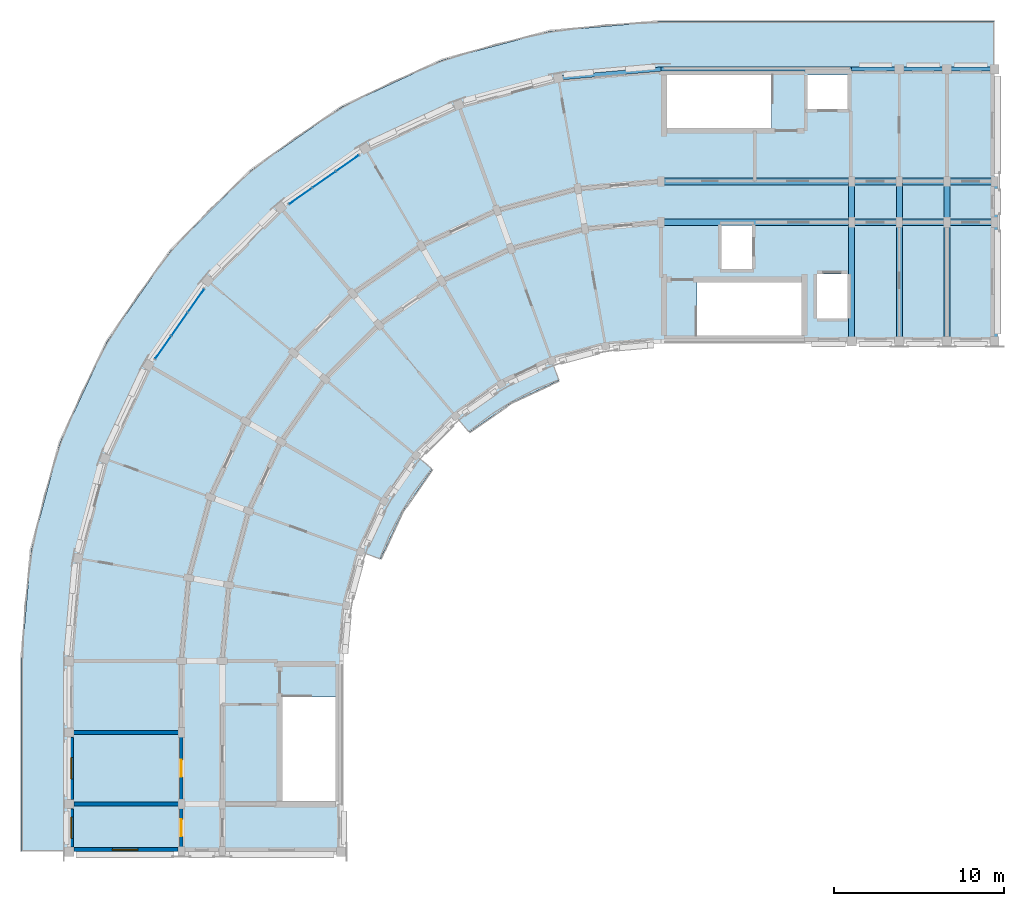
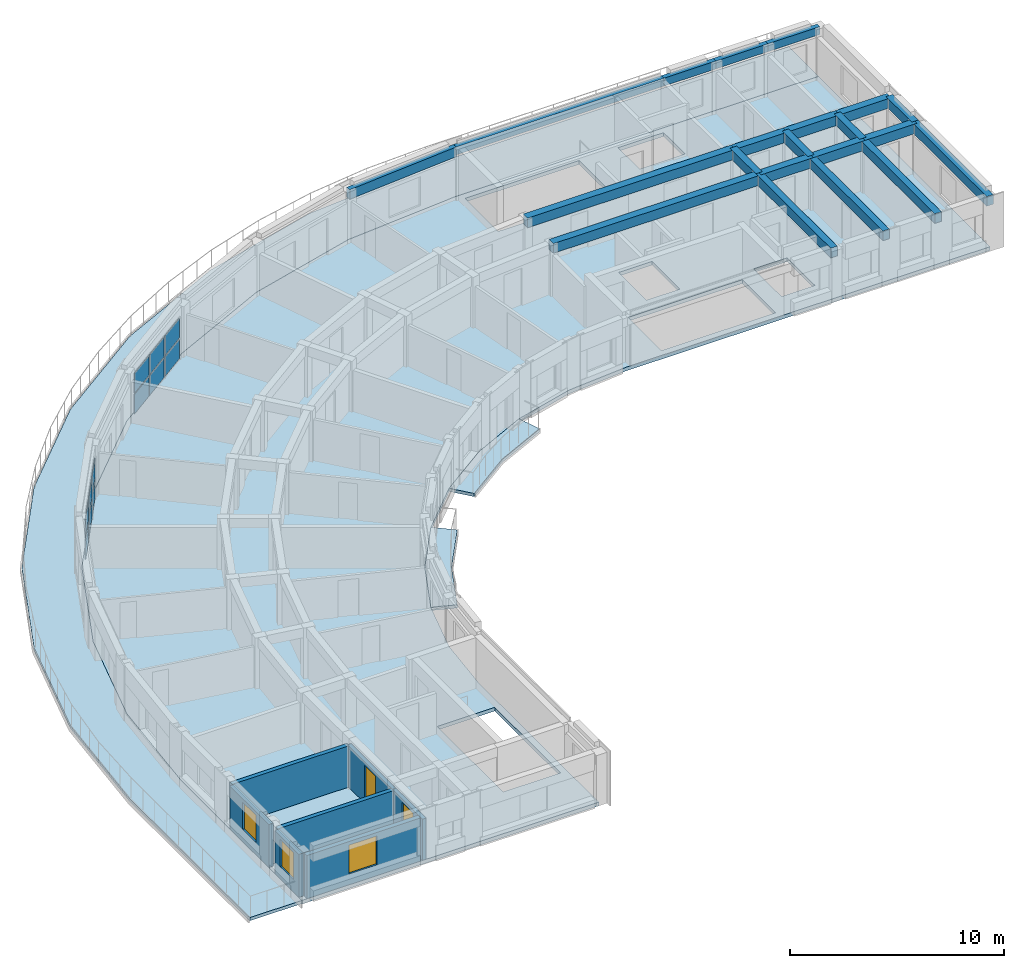
# One storey, part 5 of 14: 21 beams, 12 plates, 7 walls, 4 slabs, 3 windows, 2 doors, 5 openings, 2 elements without a shape of their own.
"""IFC4 building model written with IfcOpenShell, lengths in metres."""

from ifc_helpers import new_model, si_unit, direction, frame, frame_2d, origin, origin_2d, place, context, subcontext, project, spatial, polyline, rectangle, outline, extrude, material, layer, layer_set, material_profile, profile_set, type_object, element, fill, aggregate, save


model = new_model("IFC4")

# Units and contexts
model_context = context("Model", 3, precision=1e-05, world=origin(), true_north=direction((0.0, 1.0)))
body_context = subcontext(model_context, "Body", "Model", "MODEL_VIEW")
ifc_project = project(units=[si_unit("LENGTHUNIT", "METRE"), si_unit("AREAUNIT", "SQUARE_METRE"), si_unit("VOLUMEUNIT", "CUBIC_METRE"), si_unit("PLANEANGLEUNIT", "RADIAN"), si_unit("MASSUNIT", "GRAM", prefix="KILO")], contexts=[model_context])

# Site, building, storey
site_placement = place(None, origin())
site = spatial("IfcSite", under=ifc_project, at=site_placement, CompositionType="ELEMENT")
building_placement = place(site_placement, origin())
building = spatial("IfcBuilding", under=site, at=building_placement, Name="Kiranvali Square Residences", CompositionType="ELEMENT")
storey_placement = place(building_placement, frame((0.0, 0.0, 49.64990234375)))
storey = spatial("IfcBuildingStorey", under=building, at=storey_placement, Name="L15", CompositionType="ELEMENT", Elevation=49.64990234375)

# Beams
ifc_material_1 = material(Name="Concrete M40 (40 MPa)", Category="concrete")
ifc_material_profile_1 = material_profile(ifc_material_1, rectangle(XDim=0.35009765625, YDim=0.550048828125, at=origin_2d()), Name="RC 350x550")
ifc_profile_set_1 = profile_set([ifc_material_profile_1], Name="Concrete M40 (40 MPa)")
beam_type_1 = type_object("IfcBeamType", Name="BM-M40-350x550", PredefinedType="BEAM", material=ifc_profile_set_1)
beam_1_placement = place(storey_placement, frame((59.39990234375, 106.60009765625, 2.635009765625), z_axis=(0.0, 1.0, 0.0), x_axis=(-1.0, 0.0, 0.0)))
element("IfcBeam", 1, at=beam_1_placement, inside=storey, type_object=beam_type_1, Name="L15 beam BM-A-L15-A1T1-01", PredefinedType="BEAM", context=body_context, shape_type="SweptSolid", body=[
    extrude(rectangle(XDim=0.35009765625, YDim=0.550048828125, at=origin_2d()), origin(), (0.0, 0.0, 1.0), 7.0),
])
beam_2_placement = place(storey_placement, frame((59.39990234375, 113.60009765625, 2.635009765625), z_axis=(0.0, 1.0, 0.0), x_axis=(-1.0, 0.0, 0.0)))
element("IfcBeam", 2, at=beam_2_placement, inside=storey, type_object=beam_type_1, Name="L15 beam BM-A-L15-A1T1-12", PredefinedType="BEAM", context=body_context, shape_type="SweptSolid", body=[
    extrude(rectangle(XDim=0.35009765625, YDim=0.550048828125, at=origin_2d()), origin(), (0.0, 0.0, 1.0), 2.39990234375),
])
beam_3_placement = place(storey_placement, frame((62.199951171875, 106.60009765625, 2.635009765625), z_axis=(0.0, 1.0, 0.0), x_axis=(-1.0, 0.0, 0.0)))
element("IfcBeam", 3, at=beam_3_placement, inside=storey, type_object=beam_type_1, Name="L15 beam BM-A-L15-A1T2-01", PredefinedType="BEAM", context=body_context, shape_type="SweptSolid", body=[
    extrude(rectangle(XDim=0.35009765625, YDim=0.550048828125, at=origin_2d()), origin(), (0.0, 0.0, 1.0), 7.0),
])
beam_4_placement = place(storey_placement, frame((62.199951171875, 113.60009765625, 2.635009765625), z_axis=(0.0, 1.0, 0.0), x_axis=(-1.0, 0.0, 0.0)))
element("IfcBeam", 4, at=beam_4_placement, inside=storey, type_object=beam_type_1, Name="L15 beam BM-A-L15-A1T2-12", PredefinedType="BEAM", context=body_context, shape_type="SweptSolid", body=[
    extrude(rectangle(XDim=0.35009765625, YDim=0.550048828125, at=origin_2d()), origin(), (0.0, 0.0, 1.0), 2.39990234375),
])
beam_5_placement = place(storey_placement, frame((65.0, 106.60009765625, 2.635009765625), z_axis=(0.0, 1.0, 0.0), x_axis=(-1.0, 0.0, 0.0)))
element("IfcBeam", 5, at=beam_5_placement, inside=storey, type_object=beam_type_1, Name="L15 beam BM-A-L15-A1T3-01", PredefinedType="BEAM", context=body_context, shape_type="SweptSolid", body=[
    extrude(rectangle(XDim=0.35009765625, YDim=0.550048828125, at=origin_2d()), origin(), (0.0, 0.0, 1.0), 7.0),
])
beam_6_placement = place(storey_placement, frame((65.0, 113.60009765625, 2.635009765625), z_axis=(0.0, 1.0, 0.0), x_axis=(-1.0, 0.0, 0.0)))
element("IfcBeam", 6, at=beam_6_placement, inside=storey, type_object=beam_type_1, Name="L15 beam BM-A-L15-A1T3-12", PredefinedType="BEAM", context=body_context, shape_type="SweptSolid", body=[
    extrude(rectangle(XDim=0.35009765625, YDim=0.550048828125, at=origin_2d()), origin(), (0.0, 0.0, 1.0), 2.39990234375),
])
beam_7_placement = place(storey_placement, frame((67.800048828125, 106.60009765625, 2.635009765625), z_axis=(0.0, 1.0, 0.0), x_axis=(-1.0, 0.0, 0.0)))
element("IfcBeam", 7, at=beam_7_placement, inside=storey, type_object=beam_type_1, Name="L15 beam BM-A-L15-A1T4-01", PredefinedType="BEAM", context=body_context, shape_type="SweptSolid", body=[
    extrude(rectangle(XDim=0.35009765625, YDim=0.550048828125, at=origin_2d()), origin(), (0.0, 0.0, 1.0), 7.0),
])
beam_8_placement = place(storey_placement, frame((67.800048828125, 113.60009765625, 2.635009765625), z_axis=(0.0, 1.0, 0.0), x_axis=(-1.0, 0.0, 0.0)))
element("IfcBeam", 8, at=beam_8_placement, inside=storey, type_object=beam_type_1, Name="L15 beam BM-A-L15-A1T4-12", PredefinedType="BEAM", context=body_context, shape_type="SweptSolid", body=[
    extrude(rectangle(XDim=0.35009765625, YDim=0.550048828125, at=origin_2d()), origin(), (0.0, 0.0, 1.0), 2.39990234375),
])
ifc_material_2 = material(Name="Concrete M45 (45 MPa)", Category="concrete")
ifc_material_profile_2 = material_profile(ifc_material_2, rectangle(XDim=0.39990234375, YDim=0.550048828125, at=origin_2d()), Name="RC 400x550")
ifc_profile_set_2 = profile_set([ifc_material_profile_2], Name="Concrete M45 (45 MPa)")
beam_type_2 = type_object("IfcBeamType", Name="BM-M45-400x550", PredefinedType="BEAM", material=ifc_profile_set_2)
beam_9_placement = place(storey_placement, frame((48.199951171875, 113.60009765625, 2.635009765625), z_axis=(1.0, 0.0, 0.0), x_axis=(0.0, 1.0, 0.0)))
element("IfcBeam", 9, at=beam_9_placement, inside=storey, type_object=beam_type_2, Name="L15 beam BM-A-L15-A1U0-R1", PredefinedType="BEAM", context=body_context, shape_type="SweptSolid", body=[
    extrude(rectangle(XDim=0.39990234375, YDim=0.550048828125, at=origin_2d()), origin(), (0.0, 0.0, 1.0), 11.199951171875),
])
for number, where, z_axis, x_axis, name in (
    (10, (59.39990234375, 113.60009765625, 2.635009765625), (1.0, 0.0, 0.0), (0.0, 1.0, 0.0), "L15 beam BM-A-L15-A1U1-R1"),
    (11, (62.199951171875, 113.60009765625, 2.635009765625), (1.0, 0.0, 0.0), (0.0, 1.0, 0.0), "L15 beam BM-A-L15-A1U2-R1"),
    (12, (65.0, 113.60009765625, 2.635009765625), (1.0, 0.0, 0.0), (0.0, 1.0, 0.0), "L15 beam BM-A-L15-A1U3-R1"),
):
    element("IfcBeam", number, at=place(storey_placement, frame(where, z_axis=z_axis, x_axis=x_axis)), inside=storey, type_object=beam_type_2, Name=name, PredefinedType="BEAM", context=body_context, shape_type="SweptSolid", body=[
        extrude(rectangle(XDim=0.39990234375, YDim=0.550048828125, at=origin_2d()), origin(), (0.0, 0.0, 1.0), 2.800048828125),
    ])
beam_10_placement = place(storey_placement, frame((48.199951171875, 116.0, 2.635009765625), z_axis=(1.0, 0.0, 0.0), x_axis=(0.0, 1.0, 0.0)))
element("IfcBeam", 13, at=beam_10_placement, inside=storey, type_object=beam_type_2, Name="L15 beam BM-A-L15-A1U0-R2", PredefinedType="BEAM", context=body_context, shape_type="SweptSolid", body=[
    extrude(rectangle(XDim=0.39990234375, YDim=0.550048828125, at=origin_2d()), origin(), (0.0, 0.0, 1.0), 11.199951171875),
])
for number, where, z_axis, x_axis, name in (
    (14, (59.39990234375, 116.0, 2.635009765625), (1.0, 0.0, 0.0), (0.0, 1.0, 0.0), "L15 beam BM-A-L15-A1U1-R2"),
    (15, (62.199951171875, 116.0, 2.635009765625), (1.0, 0.0, 0.0), (0.0, 1.0, 0.0), "L15 beam BM-A-L15-A1U2-R2"),
    (16, (65.0, 116.0, 2.635009765625), (1.0, 0.0, 0.0), (0.0, 1.0, 0.0), "L15 beam BM-A-L15-A1U3-R2"),
):
    element("IfcBeam", number, at=place(storey_placement, frame(where, z_axis=z_axis, x_axis=x_axis)), inside=storey, type_object=beam_type_2, Name=name, PredefinedType="BEAM", context=body_context, shape_type="SweptSolid", body=[
        extrude(rectangle(XDim=0.39990234375, YDim=0.550048828125, at=origin_2d()), origin(), (0.0, 0.0, 1.0), 2.800048828125),
    ])
ifc_material_profile_3 = material_profile(ifc_material_1, rectangle(XDim=0.25, YDim=0.449951171875, at=origin_2d()), Name="RC 250x450")
ifc_profile_set_3 = profile_set([ifc_material_profile_3], Name="Concrete M40 (40 MPa)")
beam_type_3 = type_object("IfcBeamType", Name="SPN-M40-250x450", PredefinedType="SPANDREL", material=ifc_profile_set_3)
beam_11_placement = place(storey_placement, frame((48.199951171875, 122.60009765625, 2.68505859375), z_axis=(1.0, 0.0, 0.0), x_axis=(0.0, 1.0, 0.0)))
element("IfcBeam", 17, at=beam_11_placement, inside=storey, type_object=beam_type_3, Name="L15 beam BM-A-L15-A1U0-R3", PredefinedType="SPANDREL", context=body_context, shape_type="SweptSolid", body=[
    extrude(rectangle(XDim=0.25, YDim=0.449951171875, at=origin_2d()), origin(), (0.0, 0.0, 1.0), 11.199951171875),
])
for number, where, z_axis, x_axis, name in (
    (18, (59.39990234375, 122.60009765625, 2.68505859375), (1.0, 0.0, 0.0), (0.0, 1.0, 0.0), "L15 beam BM-A-L15-A1U1-R3"),
    (19, (62.199951171875, 122.60009765625, 2.68505859375), (1.0, 0.0, 0.0), (0.0, 1.0, 0.0), "L15 beam BM-A-L15-A1U2-R3"),
    (20, (65.0, 122.60009765625, 2.68505859375), (1.0, 0.0, 0.0), (0.0, 1.0, 0.0), "L15 beam BM-A-L15-A1U3-R3"),
):
    element("IfcBeam", number, at=place(storey_placement, frame(where, z_axis=z_axis, x_axis=x_axis)), inside=storey, type_object=beam_type_3, Name=name, PredefinedType="SPANDREL", context=body_context, shape_type="SweptSolid", body=[
        extrude(rectangle(XDim=0.25, YDim=0.449951171875, at=origin_2d()), origin(), (0.0, 0.0, 1.0), 2.800048828125),
    ])
ifc_material_profile_4 = material_profile(ifc_material_1, rectangle(XDim=0.25, YDim=0.550048828125, at=origin_2d()), Name="RC 250x550")
ifc_profile_set_4 = profile_set([ifc_material_profile_4], Name="Concrete M40 (40 MPa)")
beam_type_4 = type_object("IfcBeamType", Name="SPN-M40-250x550", PredefinedType="SPANDREL", material=ifc_profile_set_4)
beam_12_placement = place(storey_placement, frame((48.199951171875, 122.60009765625, 2.635009765625), z_axis=(-0.996193018494, -0.087174938512, 0.0), x_axis=(0.087174938512, -0.996193018494, 0.0)))
element("IfcBeam", 21, at=beam_12_placement, inside=storey, type_object=beam_type_4, Name="L15 beam BM-A-L15-C00-R3", PredefinedType="SPANDREL", context=body_context, shape_type="SweptSolid", body=[
    extrude(rectangle(XDim=0.25, YDim=0.550048828125, at=origin_2d()), origin(), (0.0, 0.0, 1.0), 6.066162109375),
])

# Curtain wall, plates
ifc_material_3 = material(Name="Anodised bronze aluminium framing", Category="aluminium")
curtain_wall_type = type_object("IfcCurtainWallType", Name="CW-RES-LOG", PredefinedType="USERDEFINED", material=ifc_material_3)
curtain_wall_1_placement = place(storey_placement, origin())
curtain_wall_1 = element("IfcCurtainWall", 22, at=curtain_wall_1_placement, inside=storey, type_object=curtain_wall_type, Name="Block A L15 stepped curved terrace loggia 4", ObjectType="CURTAIN WALL", PredefinedType="USERDEFINED")
ifc_material_4 = material(Name="Solar-control low-e double glazing", Category="glass")
ifc_layer_1 = layer(ifc_material_4, 0.028076171875)
ifc_layer_set_1 = layer_set([ifc_layer_1], Name="Solar-control low-e double glazing")
plate_type = type_object("IfcPlateType", Name="PLT-CW-GLZ", PredefinedType="CURTAIN_PANEL", material=ifc_layer_set_1)
plate_1_placement = place(storey_placement, frame((29.76220703125, 117.064453125, 0.080078125), z_axis=(0.0, 0.0, 1.0), x_axis=(-0.819152044289, -0.573576436351, 0.0)))
plate_1 = element("IfcPlate", 23, at=plate_1_placement, type_object=plate_type, Name="CW-A-L15-TER-03 glazed panel 1.1", PredefinedType="CURTAIN_PANEL", context=body_context, shape_type="SweptSolid", body=[
    extrude(rectangle(XDim=1.60205078125, YDim=0.028076171875, at=origin_2d()), origin(), (0.0, 0.0, 1.0), 1.110107421875),
])
plate_2_placement = place(storey_placement, frame((29.76220703125, 117.064453125, 1.27001953125), z_axis=(0.0, 0.0, 1.0), x_axis=(-0.819152044289, -0.573576436351, 0.0)))
plate_2 = element("IfcPlate", 24, at=plate_2_placement, type_object=plate_type, Name="CW-A-L15-TER-03 glazed panel 1.2", PredefinedType="CURTAIN_PANEL", context=body_context, shape_type="SweptSolid", body=[
    extrude(rectangle(XDim=1.60205078125, YDim=0.028076171875, at=origin_2d()), origin(), (0.0, 0.0, 1.0), 1.110107421875),
])
plate_3_placement = place(storey_placement, frame((28.38427734375, 116.099609375, 0.080078125), z_axis=(0.0, 0.0, 1.0), x_axis=(-0.819152044289, -0.573576436351, 0.0)))
plate_3 = element("IfcPlate", 25, at=plate_3_placement, type_object=plate_type, Name="CW-A-L15-TER-03 glazed panel 2.1", PredefinedType="CURTAIN_PANEL", context=body_context, shape_type="SweptSolid", body=[
    extrude(rectangle(XDim=1.60205078125, YDim=0.028076171875, at=origin_2d()), origin(), (0.0, 0.0, 1.0), 1.110107421875),
])
plate_4_placement = place(storey_placement, frame((28.38427734375, 116.099609375, 1.27001953125), z_axis=(0.0, 0.0, 1.0), x_axis=(-0.819152044289, -0.573576436351, 0.0)))
plate_4 = element("IfcPlate", 26, at=plate_4_placement, type_object=plate_type, Name="CW-A-L15-TER-03 glazed panel 2.2", PredefinedType="CURTAIN_PANEL", context=body_context, shape_type="SweptSolid", body=[
    extrude(rectangle(XDim=1.60205078125, YDim=0.028076171875, at=origin_2d()), origin(), (0.0, 0.0, 1.0), 1.110107421875),
])
plate_5_placement = place(storey_placement, frame((27.006591796875, 115.135009765625, 0.080078125), z_axis=(0.0, 0.0, 1.0), x_axis=(-0.819152044289, -0.573576436351, 0.0)))
plate_5 = element("IfcPlate", 27, at=plate_5_placement, type_object=plate_type, Name="CW-A-L15-TER-03 glazed panel 3.1", PredefinedType="CURTAIN_PANEL", context=body_context, shape_type="SweptSolid", body=[
    extrude(rectangle(XDim=1.60205078125, YDim=0.028076171875, at=origin_2d()), origin(), (0.0, 0.0, 1.0), 1.110107421875),
])
plate_6_placement = place(storey_placement, frame((27.006591796875, 115.135009765625, 1.27001953125), z_axis=(0.0, 0.0, 1.0), x_axis=(-0.819152044289, -0.573576436351, 0.0)))
plate_6 = element("IfcPlate", 28, at=plate_6_placement, type_object=plate_type, Name="CW-A-L15-TER-03 glazed panel 3.2", PredefinedType="CURTAIN_PANEL", context=body_context, shape_type="SweptSolid", body=[
    extrude(rectangle(XDim=1.60205078125, YDim=0.028076171875, at=origin_2d()), origin(), (0.0, 0.0, 1.0), 1.110107421875),
])
aggregate(curtain_wall_1, [plate_1, plate_2, plate_3, plate_4, plate_5, plate_6])

curtain_wall_2_placement = place(storey_placement, origin())
curtain_wall_2 = element("IfcCurtainWall", 29, at=curtain_wall_2_placement, inside=storey, type_object=curtain_wall_type, Name="Block A L15 stepped curved terrace loggia 6", ObjectType="CURTAIN WALL", PredefinedType="USERDEFINED")
plate_7_placement = place(storey_placement, frame((20.864990234375, 108.993408203125, 0.080078125), z_axis=(0.0, 0.0, 1.0), x_axis=(-0.573576436351, -0.819152044289, 0.0)))
plate_7 = element("IfcPlate", 30, at=plate_7_placement, type_object=plate_type, Name="CW-A-L15-TER-05 glazed panel 1.1", PredefinedType="CURTAIN_PANEL", context=body_context, shape_type="SweptSolid", body=[
    extrude(rectangle(XDim=1.60205078125, YDim=0.028076171875, at=origin_2d()), origin(), (0.0, 0.0, 1.0), 1.110107421875),
])
plate_8_placement = place(storey_placement, frame((20.864990234375, 108.993408203125, 1.27001953125), z_axis=(0.0, 0.0, 1.0), x_axis=(-0.573576436351, -0.819152044289, 0.0)))
plate_8 = element("IfcPlate", 31, at=plate_8_placement, type_object=plate_type, Name="CW-A-L15-TER-05 glazed panel 1.2", PredefinedType="CURTAIN_PANEL", context=body_context, shape_type="SweptSolid", body=[
    extrude(rectangle(XDim=1.60205078125, YDim=0.028076171875, at=origin_2d()), origin(), (0.0, 0.0, 1.0), 1.110107421875),
])
plate_9_placement = place(storey_placement, frame((19.900390625, 107.61572265625, 0.080078125), z_axis=(0.0, 0.0, 1.0), x_axis=(-0.573576436351, -0.819152044289, 0.0)))
plate_9 = element("IfcPlate", 32, at=plate_9_placement, type_object=plate_type, Name="CW-A-L15-TER-05 glazed panel 2.1", PredefinedType="CURTAIN_PANEL", context=body_context, shape_type="SweptSolid", body=[
    extrude(rectangle(XDim=1.60205078125, YDim=0.028076171875, at=origin_2d()), origin(), (0.0, 0.0, 1.0), 1.110107421875),
])
plate_10_placement = place(storey_placement, frame((19.900390625, 107.61572265625, 1.27001953125), z_axis=(0.0, 0.0, 1.0), x_axis=(-0.573576436351, -0.819152044289, 0.0)))
plate_10 = element("IfcPlate", 33, at=plate_10_placement, type_object=plate_type, Name="CW-A-L15-TER-05 glazed panel 2.2", PredefinedType="CURTAIN_PANEL", context=body_context, shape_type="SweptSolid", body=[
    extrude(rectangle(XDim=1.60205078125, YDim=0.028076171875, at=origin_2d()), origin(), (0.0, 0.0, 1.0), 1.110107421875),
])
plate_11_placement = place(storey_placement, frame((18.935546875, 106.23779296875, 0.080078125), z_axis=(0.0, 0.0, 1.0), x_axis=(-0.573576436351, -0.819152044289, 0.0)))
plate_11 = element("IfcPlate", 34, at=plate_11_placement, type_object=plate_type, Name="CW-A-L15-TER-05 glazed panel 3.1", PredefinedType="CURTAIN_PANEL", context=body_context, shape_type="SweptSolid", body=[
    extrude(rectangle(XDim=1.60205078125, YDim=0.028076171875, at=origin_2d()), origin(), (0.0, 0.0, 1.0), 1.110107421875),
])
plate_12_placement = place(storey_placement, frame((18.935546875, 106.23779296875, 1.27001953125), z_axis=(0.0, 0.0, 1.0), x_axis=(-0.573576436351, -0.819152044289, 0.0)))
plate_12 = element("IfcPlate", 35, at=plate_12_placement, type_object=plate_type, Name="CW-A-L15-TER-05 glazed panel 3.2", PredefinedType="CURTAIN_PANEL", context=body_context, shape_type="SweptSolid", body=[
    extrude(rectangle(XDim=1.60205078125, YDim=0.028076171875, at=origin_2d()), origin(), (0.0, 0.0, 1.0), 1.110107421875),
])
aggregate(curtain_wall_2, [plate_7, plate_8, plate_9, plate_10, plate_11, plate_12])

# Slabs
ifc_material_5 = material(Name="Concrete M35 (35 MPa)", Category="concrete")
ifc_layer_2 = layer(ifc_material_5, 0.2099609375)
ifc_layer_set_2 = layer_set([ifc_layer_2], Name="Concrete M35 (35 MPa)")
slab_type_1 = type_object("IfcSlabType", Name="SLB-FLR-210", PredefinedType="FLOOR", material=ifc_layer_set_2)
slab_1_placement = place(storey_placement, frame((0.0, 0.0, -0.2099609375)))
element("IfcSlab", 36, at=slab_1_placement, inside=storey, type_object=slab_type_1, Name="Block A L15 structural floor slab", PredefinedType="FLOOR", context=body_context, shape_type="SweptSolid", body=[
    extrude(outline(polyline([(67.800048828125, 106.60009765625), (67.800048828125, 122.60009765625), (48.199951171875, 122.60009765625), (42.156982421875, 122.0712890625), (36.297607421875, 120.501220703125), (30.800048828125, 117.937744140625), (25.8310546875, 114.458251953125), (21.541748046875, 110.1689453125), (18.062255859375, 105.199951171875), (15.498779296875, 99.702392578125), (13.9287109375, 93.843017578125), (13.39990234375, 87.800048828125), (13.39990234375, 76.60009765625), (29.39990234375, 76.60009765625), (29.39990234375, 87.800048828125), (29.685546875, 91.064697265625), (30.53369140625, 94.22998046875), (31.918701171875, 97.199951171875), (33.79833984375, 99.884521484375), (36.115478515625, 102.20166015625), (38.800048828125, 104.081298828125), (41.77001953125, 105.46630859375), (44.935302734375, 106.314453125), (48.199951171875, 106.60009765625), (67.800048828125, 106.60009765625)]), holes=[polyline([(56.800048828125, 120.25), (59.25, 120.25), (59.25, 122.25), (56.800048828125, 122.25), (56.800048828125, 120.25)]), polyline([(57.35009765625, 107.949951171875), (59.14990234375, 107.949951171875), (59.14990234375, 110.550048828125), (57.35009765625, 110.550048828125), (57.35009765625, 107.949951171875)]), polyline([(51.75, 110.85009765625), (53.550048828125, 110.85009765625), (53.550048828125, 113.449951171875), (51.75, 113.449951171875), (51.75, 110.85009765625)]), polyline([(54.699951171875, 122.25), (48.550048828125, 122.25), (48.550048828125, 119.14990234375), (54.699951171875, 119.14990234375), (54.699951171875, 122.25)]), polyline([(50.300048828125, 106.949951171875), (56.449951171875, 106.949951171875), (56.449951171875, 110.050048828125), (50.300048828125, 110.050048828125), (50.300048828125, 106.949951171875)]), polyline([(25.949951171875, 85.699951171875), (25.949951171875, 79.550048828125), (29.050048828125, 79.550048828125), (29.050048828125, 85.699951171875), (25.949951171875, 85.699951171875)])]), origin(), (0.0, 0.0, 1.0), 0.2099609375),
])
ifc_layer_3 = layer(ifc_material_5, 0.169921875)
ifc_layer_set_3 = layer_set([ifc_layer_3], Name="Concrete M35 (35 MPa)")
slab_type_2 = type_object("IfcSlabType", Name="SLB-GBAL-170", PredefinedType="FLOOR", material=ifc_layer_set_3)
slab_2_placement = place(storey_placement, frame((0.0, 0.0, -0.179931640625)))
element("IfcSlab", 37, at=slab_2_placement, inside=storey, type_object=slab_type_2, Name="Block A L15 garden balcony slab 1", PredefinedType="FLOOR", context=body_context, shape_type="SweptSolid", body=[
    extrude(outline(polyline([(41.77001953125, 105.46630859375), (38.800048828125, 104.081298828125), (36.115478515625, 102.20166015625), (36.919189453125, 101.244140625), (39.425048828125, 102.998779296875), (42.197509765625, 104.29150390625), (41.77001953125, 105.46630859375)])), origin(), (0.0, 0.0, 1.0), 0.179931640625),
])
slab_3_placement = place(storey_placement, frame((0.0, 0.0, -0.179931640625)))
element("IfcSlab", 38, at=slab_3_placement, inside=storey, type_object=slab_type_2, Name="Block A L15 garden balcony slab 2", PredefinedType="FLOOR", context=body_context, shape_type="SweptSolid", body=[
    extrude(outline(polyline([(33.79833984375, 99.884521484375), (31.918701171875, 97.199951171875), (30.53369140625, 94.22998046875), (31.70849609375, 93.802490234375), (33.001220703125, 96.574951171875), (34.755859375, 99.080810546875), (33.79833984375, 99.884521484375)])), origin(), (0.0, 0.0, 1.0), 0.179931640625),
])
ifc_layer_4 = layer(ifc_material_5, 0.18994140625)
ifc_layer_set_4 = layer_set([ifc_layer_4], Name="Concrete M35 (35 MPa)")
slab_type_3 = type_object("IfcSlabType", Name="SLB-TER-190", PredefinedType="FLOOR", material=ifc_layer_set_4)
slab_4_placement = place(storey_placement, frame((0.0, 0.0, -0.179931640625)))
element("IfcSlab", 39, at=slab_4_placement, inside=storey, type_object=slab_type_3, Name="Block A L15 stepped curved corner balcony terrace slab", PredefinedType="FLOOR", context=body_context, shape_type="SweptSolid", body=[
    extrude(outline(polyline([(67.800048828125, 125.39990234375), (48.199951171875, 125.39990234375), (41.6708984375, 124.828857421875), (35.340087890625, 123.13232421875), (29.39990234375, 120.362548828125), (24.03125, 116.603271484375), (19.396728515625, 111.96875), (15.637451171875, 106.60009765625), (12.86767578125, 100.659912109375), (11.171142578125, 94.3291015625), (10.60009765625, 87.800048828125), (10.60009765625, 76.60009765625), (13.39990234375, 76.60009765625), (13.39990234375, 87.800048828125), (13.9287109375, 93.843017578125), (15.498779296875, 99.702392578125), (18.062255859375, 105.199951171875), (21.541748046875, 110.1689453125), (25.8310546875, 114.458251953125), (30.800048828125, 117.937744140625), (36.297607421875, 120.501220703125), (42.156982421875, 122.0712890625), (48.199951171875, 122.60009765625), (67.800048828125, 122.60009765625), (67.800048828125, 125.39990234375)])), origin(), (0.0, 0.0, 1.0), 0.179931640625),
])

# Wall, opening, door
ifc_material_6 = material(Name="Autoclaved aerated concrete blockwork masonry", Category="masonry")
ifc_layer_5 = layer(ifc_material_6, 0.199951171875)
ifc_layer_set_5 = layer_set([ifc_layer_5], Name="Autoclaved aerated concrete blockwork masonry")
wall_type_1 = type_object("IfcWallType", Name="WL-COR-200", PredefinedType="STANDARD", material=ifc_layer_set_5)
wall_1_placement = place(storey_placement, frame((20.0, 83.60009765625, 0.0), z_axis=(0.0, 0.0, 1.0), x_axis=(0.0, -1.0, 0.0)))
wall_1 = element("IfcWall", 40, at=wall_1_placement, inside=storey, type_object=wall_type_1, Name="L15 architectural wall WL-L15-A-A2CF-C1", PredefinedType="STANDARD", context=body_context, shape_type="SweptSolid", body=[
    extrude(rectangle(XDim=4.2001953125, YDim=0.199951171875, at=frame_2d((2.10009765625, 0.0))), origin(), (0.0, 0.0, 1.0), 2.35205078125),
])
opening_1_placement = place(wall_1_placement, frame((1.60009765625, 0.0, 0.0)))
opening_1 = element("IfcOpeningElement", 41, at=opening_1_placement, cuts=wall_1, Name="Opening FD-APT-60", PredefinedType="OPENING", context=body_context, shape_type="SweptSolid", body=[
    extrude(rectangle(XDim=1.0, YDim=2.14990234375, at=frame_2d((0.5, 1.074951171875))), frame((0.0, 0.10986328125, 0.0), z_axis=(0.0, -1.0, 0.0), x_axis=(1.0, 0.0, 0.0)), (0.0, 0.0, 1.0), 0.219970703125),
])
ifc_material_7 = material(Name="Fire-rated acoustic hardwood and mineral-core door assembly", Category="wood")
door_type = type_object("IfcDoorType", Name="DR-APT-1000", OperationType="NOTDEFINED", PredefinedType="DOOR", material=ifc_material_7)
door_1_placement = place(opening_1_placement, origin())
door_1 = element("IfcDoor", 42, at=door_1_placement, inside=storey, type_object=door_type, Name="L15 door DR-L15-0937 (DR-APT-1000)", OperationType="SINGLE_SWING_LEFT", OverallHeight=2.14990234375, OverallWidth=1.0, PredefinedType="DOOR", context=body_context, shape_type="SweptSolid", body=[
    extrude(rectangle(XDim=1.0, YDim=2.14990234375, at=frame_2d((0.5, 1.074951171875))), frame((0.0, 0.02490234375, 0.0), z_axis=(0.0, -1.0, 0.0), x_axis=(1.0, 0.0, 0.0)), (0.0, 0.0, 1.0), 0.050048828125),
])
fill(opening_1, door_1)

wall_2_placement = place(storey_placement, frame((20.0, 79.39990234375, 0.0), z_axis=(0.0, 0.0, 1.0), x_axis=(0.0, -1.0, 0.0)))
wall_2 = element("IfcWall", 43, at=wall_2_placement, inside=storey, type_object=wall_type_1, Name="L15 architectural wall WL-L15-A-A2CO-0", PredefinedType="STANDARD", context=body_context, shape_type="SweptSolid", body=[
    extrude(rectangle(XDim=2.7998046875, YDim=0.199951171875, at=frame_2d((1.39990234375, 0.0))), origin(), (0.0, 0.0, 1.0), 2.35205078125),
])
opening_2_placement = place(wall_2_placement, frame((0.89990234375, 0.0, 0.0)))
opening_2 = element("IfcOpeningElement", 44, at=opening_2_placement, cuts=wall_2, Name="Opening FD-APT-60", PredefinedType="OPENING", context=body_context, shape_type="SweptSolid", body=[
    extrude(rectangle(XDim=1.0, YDim=2.14990234375, at=frame_2d((0.5, 1.074951171875))), frame((0.0, 0.10986328125, 0.0), z_axis=(0.0, -1.0, 0.0), x_axis=(1.0, 0.0, 0.0)), (0.0, 0.0, 1.0), 0.219970703125),
])
door_2_placement = place(opening_2_placement, origin())
door_2 = element("IfcDoor", 45, at=door_2_placement, inside=storey, type_object=door_type, Name="L15 door DR-L15-0939 (DR-APT-1000)", OperationType="SINGLE_SWING_LEFT", OverallHeight=2.14990234375, OverallWidth=1.0, PredefinedType="DOOR", context=body_context, shape_type="SweptSolid", body=[
    extrude(rectangle(XDim=1.0, YDim=2.14990234375, at=frame_2d((0.5, 1.074951171875))), frame((0.0, 0.02490234375, 0.0), z_axis=(0.0, -1.0, 0.0), x_axis=(1.0, 0.0, 0.0)), (0.0, 0.0, 1.0), 0.050048828125),
])
fill(opening_2, door_2)

# Walls
ifc_layer_6 = layer(ifc_material_6, 0.219970703125)
ifc_layer_set_6 = layer_set([ifc_layer_6], Name="Autoclaved aerated concrete blockwork masonry")
wall_type_2 = type_object("IfcWallType", Name="WL-DEM-220", PredefinedType="STANDARD", material=ifc_layer_set_6)
wall_3_placement = place(storey_placement, frame((19.949951171875, 83.60009765625, 0.0), z_axis=(0.0, 0.0, 1.0), x_axis=(-1.0, 0.0, 0.0)))
element("IfcWall", 46, at=wall_3_placement, inside=storey, type_object=wall_type_2, Name="L15 architectural wall WL-L15-A-A2CF-MID", PredefinedType="STANDARD", context=body_context, shape_type="SweptSolid", body=[
    extrude(rectangle(XDim=6.329833984375, YDim=0.219970703125, at=frame_2d((3.1650390625, 0.0))), origin(), (0.0, 0.0, 1.0), 2.35205078125),
])
wall_4_placement = place(storey_placement, frame((19.89990234375, 79.39990234375, 0.0), z_axis=(0.0, 0.0, 1.0), x_axis=(-1.0, 0.0, 0.0)))
element("IfcWall", 47, at=wall_4_placement, inside=storey, type_object=wall_type_2, Name="L15 architectural wall WL-L15-A-A2TO-0", PredefinedType="STANDARD", context=body_context, shape_type="SweptSolid", body=[
    extrude(rectangle(XDim=6.219970703125, YDim=0.219970703125, at=frame_2d((3.10986328125, 0.0))), origin(), (0.0, 0.0, 1.0), 2.35205078125),
])

# Wall, opening, window
ifc_material_8 = material(Name="Breathable lime-rendered clay brick masonry", Category="masonry")
ifc_layer_7 = layer(ifc_material_8, 0.25)
ifc_layer_set_7 = layer_set([ifc_layer_7], Name="Breathable lime-rendered clay brick masonry")
wall_type_3 = type_object("IfcWallType", Name="WL-EXT-250", PredefinedType="STANDARD", material=ifc_layer_set_7)
wall_5_placement = place(storey_placement, frame((13.52490234375, 83.321533203125, 0.0), z_axis=(0.0, 0.0, 1.0), x_axis=(0.0, -1.0, 0.0)))
wall_5 = element("IfcWall", 48, at=wall_5_placement, inside=storey, type_object=wall_type_3, Name="L15 exterior wall A-L15-A2O-1", PredefinedType="STANDARD", context=body_context, shape_type="SweptSolid", body=[
    extrude(rectangle(XDim=3.64306640625, YDim=0.25, at=frame_2d((1.821533203125, 0.0))), origin(), (0.0, 0.0, 1.0), 2.4521484375),
])
opening_3_placement = place(wall_5_placement, frame((1.196533203125, 0.0, 0.701904296875)))
opening_3 = element("IfcOpeningElement", 49, at=opening_3_placement, cuts=wall_5, Name="Opening W-19", PredefinedType="OPENING", context=body_context, shape_type="SweptSolid", body=[
    extrude(rectangle(XDim=1.25, YDim=1.550048828125, at=frame_2d((0.625, 0.77490234375))), frame((0.0, 0.135009765625, 0.0), z_axis=(0.0, -1.0, 0.0), x_axis=(1.0, 0.0, 0.0)), (0.0, 0.0, 1.0), 0.27001953125),
])
window_type_1 = type_object("IfcWindowType", Name="WIN-GDN-1250x1550", PartitioningType="SINGLE_PANEL", PredefinedType="WINDOW", material=ifc_material_4)
window_1_placement = place(opening_3_placement, origin())
window_1 = element("IfcWindow", 50, at=window_1_placement, inside=storey, type_object=window_type_1, Name="L15 recessed window A-L15-A2O-1", OverallHeight=1.550048828125, OverallWidth=1.25, PartitioningType="SINGLE_PANEL", PredefinedType="WINDOW", context=body_context, shape_type="SweptSolid", body=[
    extrude(rectangle(XDim=1.25, YDim=1.550048828125, at=frame_2d((0.625, 0.77490234375))), frame((0.0, 0.030029296875, 0.0), z_axis=(0.0, -1.0, 0.0), x_axis=(1.0, 0.0, 0.0)), (0.0, 0.0, 1.0), 0.06005859375),
])
fill(opening_3, window_1)

wall_6_placement = place(storey_placement, frame((13.52490234375, 79.12158203125, 0.0), z_axis=(0.0, 0.0, 1.0), x_axis=(0.0, -1.0, 0.0)))
wall_6 = element("IfcWall", 51, at=wall_6_placement, inside=storey, type_object=wall_type_3, Name="L15 exterior wall A-L15-A2O-2", PredefinedType="STANDARD", context=body_context, shape_type="SweptSolid", body=[
    extrude(rectangle(XDim=2.2431640625, YDim=0.25, at=frame_2d((1.12158203125, 0.0))), origin(), (0.0, 0.0, 1.0), 2.4521484375),
])
opening_4_placement = place(wall_6_placement, frame((0.49658203125, 0.0, 0.701904296875)))
opening_4 = element("IfcOpeningElement", 52, at=opening_4_placement, cuts=wall_6, Name="Opening W-19", PredefinedType="OPENING", context=body_context, shape_type="SweptSolid", body=[
    extrude(rectangle(XDim=1.25, YDim=1.550048828125, at=frame_2d((0.625, 0.77490234375))), frame((0.0, 0.135009765625, 0.0), z_axis=(0.0, -1.0, 0.0), x_axis=(1.0, 0.0, 0.0)), (0.0, 0.0, 1.0), 0.27001953125),
])
window_2_placement = place(opening_4_placement, origin())
window_2 = element("IfcWindow", 53, at=window_2_placement, inside=storey, type_object=window_type_1, Name="L15 recessed window A-L15-A2O-2", OverallHeight=1.550048828125, OverallWidth=1.25, PartitioningType="SINGLE_PANEL", PredefinedType="WINDOW", context=body_context, shape_type="SweptSolid", body=[
    extrude(rectangle(XDim=1.25, YDim=1.550048828125, at=frame_2d((0.625, 0.77490234375))), frame((0.0, 0.030029296875, 0.0), z_axis=(0.0, -1.0, 0.0), x_axis=(1.0, 0.0, 0.0)), (0.0, 0.0, 1.0), 0.06005859375),
])
fill(opening_4, window_2)

wall_7_placement = place(storey_placement, frame((19.79638671875, 76.72509765625, 0.0), z_axis=(0.0, 0.0, 1.0), x_axis=(-1.0, 0.0, 0.0)))
wall_7 = element("IfcWall", 54, at=wall_7_placement, inside=storey, type_object=wall_type_3, Name="L15 exterior wall A-L15-A2END-2", PredefinedType="STANDARD", context=body_context, shape_type="SweptSolid", body=[
    extrude(rectangle(XDim=6.117919921875, YDim=0.25, at=frame_2d((3.05908203125, 0.0))), origin(), (0.0, 0.0, 1.0), 2.460205078125),
])
opening_5_placement = place(wall_7_placement, frame((2.346435546875, 0.0, 0.610107421875)))
opening_5 = element("IfcOpeningElement", 55, at=opening_5_placement, cuts=wall_7, Name="Opening W-05", PredefinedType="OPENING", context=body_context, shape_type="SweptSolid", body=[
    extrude(rectangle(XDim=1.5, YDim=1.64990234375, at=frame_2d((0.75, 0.824951171875))), frame((0.0, 0.135009765625, 0.0), z_axis=(0.0, -1.0, 0.0), x_axis=(1.0, 0.0, 0.0)), (0.0, 0.0, 1.0), 0.27001953125),
])
window_type_2 = type_object("IfcWindowType", Name="WIN-RES-1500x1650", PartitioningType="DOUBLE_PANEL_VERTICAL", PredefinedType="WINDOW", material=ifc_material_4)
window_3_placement = place(opening_5_placement, origin())
window_3 = element("IfcWindow", 56, at=window_3_placement, inside=storey, type_object=window_type_2, Name="L15 recessed window A-L15-A2END-2", OverallHeight=1.64990234375, OverallWidth=1.5, PartitioningType="DOUBLE_PANEL_VERTICAL", PredefinedType="WINDOW", context=body_context, shape_type="SweptSolid", body=[
    extrude(rectangle(XDim=1.5, YDim=1.64990234375, at=frame_2d((0.75, 0.824951171875))), frame((0.0, 0.030029296875, 0.0), z_axis=(0.0, -1.0, 0.0), x_axis=(1.0, 0.0, 0.0)), (0.0, 0.0, 1.0), 0.06005859375),
])
fill(opening_5, window_3)

save(model, "model.ifc")
